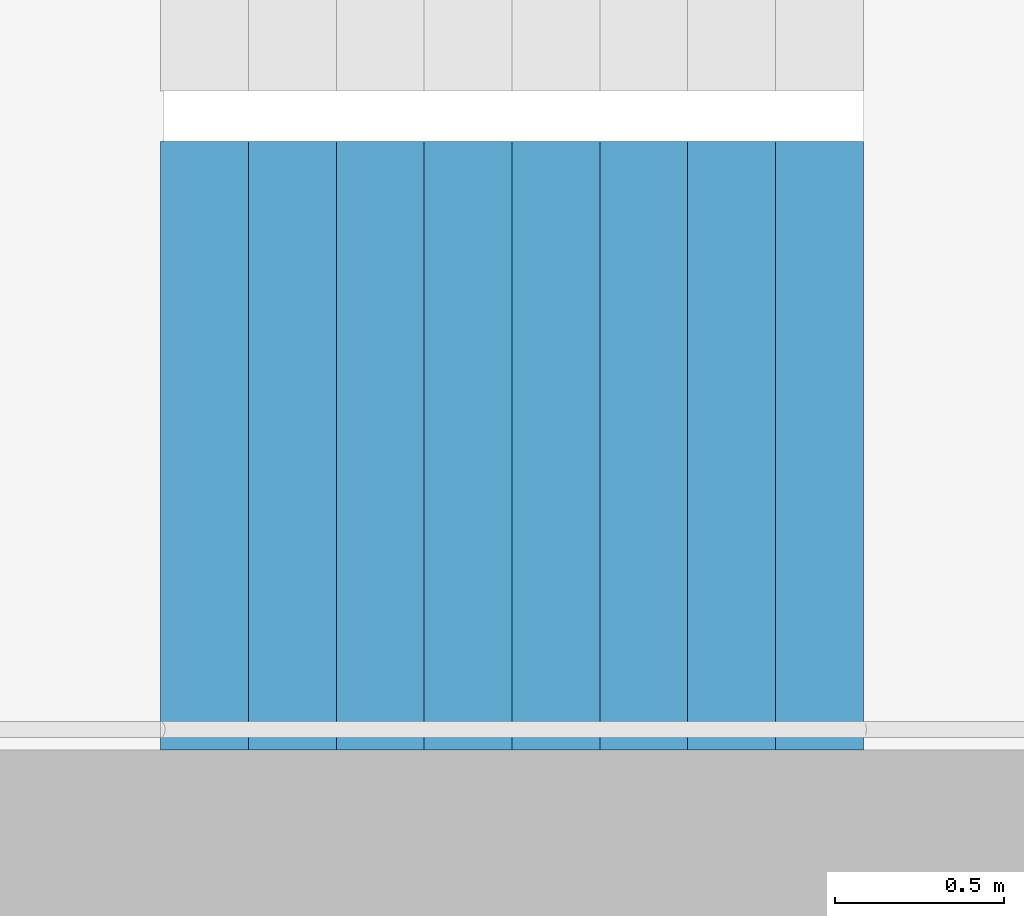
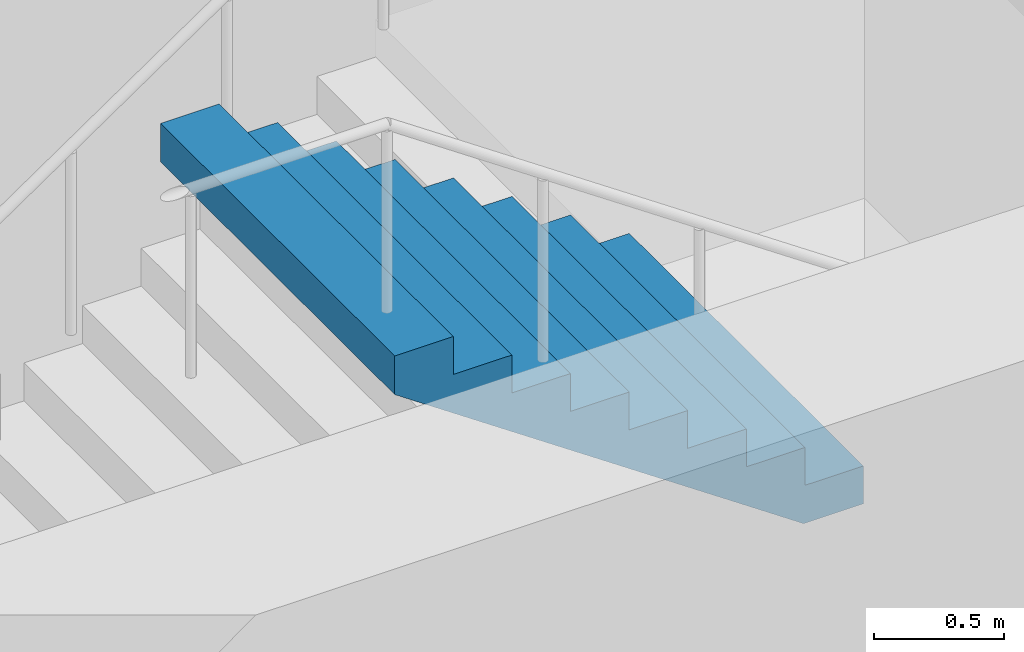
# One storey, part 22 of 26: 1 stair flight, 1 element without a shape of its own.
"""IFC4 building model written with IfcOpenShell, lengths in metres."""

from ifc_helpers import new_model, si_unit, direction, frame, origin, place, context, subcontext, project, spatial, triangles, material, type_object, element, aggregate, save


model = new_model("IFC4")

# Units and contexts
model_context = context("Model", 3, precision=1e-05, world=origin(), true_north=direction((0.0, 1.0)))
body_context = subcontext(model_context, "Body", "Model", "MODEL_VIEW")
ifc_project = project(units=[si_unit("LENGTHUNIT", "METRE"), si_unit("AREAUNIT", "SQUARE_METRE"), si_unit("VOLUMEUNIT", "CUBIC_METRE"), si_unit("PLANEANGLEUNIT", "RADIAN"), si_unit("MASSUNIT", "GRAM", prefix="KILO")], contexts=[model_context])

# Site, building, storey
site_placement = place(None, origin())
site = spatial("IfcSite", under=ifc_project, at=site_placement, CompositionType="ELEMENT")
building_placement = place(site_placement, origin())
building = spatial("IfcBuilding", under=site, at=building_placement, Name="Hakoniwa Tower and Hamabe Station Hall", CompositionType="ELEMENT")
storey_placement = place(building_placement, frame((0.0, 0.0, 143.800048828125)))
storey = spatial("IfcBuildingStorey", under=building, at=storey_placement, Name="L40", CompositionType="ELEMENT", Elevation=143.800048828125)

# Stair, stair flight
ifc_material_1 = material(Name="Concrete C40", Category="concrete")
stair_type = type_object("IfcStairType", Name="ESCAPE STAIR 1800", PredefinedType="HALF_TURN_STAIR", material=ifc_material_1)
stair_placement = place(storey_placement, origin())
stair = element("IfcStair", 1, at=stair_placement, inside=storey, type_object=stair_type, Name="Escape stair ST-4 L40", PredefinedType="HALF_TURN_STAIR")
ifc_material_2 = material(Name="Concrete C40", Category="concrete")
stair_flight_type = type_object("IfcStairFlightType", Name="STAIR FLIGHT 1800", PredefinedType="STRAIGHT", material=ifc_material_2)
stair_flight_placement = place(storey_placement, frame((25.47998046875, -6.60009765625, 1.599853515625), z_axis=(0.0, 0.0, 1.0), x_axis=(-1.0, 0.0, 0.0)))
stair_flight = element("IfcStairFlight", 2, at=stair_flight_placement, type_object=stair_flight_type, Name="ST-4 flight 2", NumberOfRisers=9, NumberOfTreads=8, PredefinedType="STRAIGHT", RiserHeight=0.177777778, TreadLength=0.26, context=body_context, shape_type="Tessellation", body=[
    triangles([(0.0, 0.89990234375, 0.0), (0.260009765625, 0.89990234375, 0.0), (0.265625, 0.89990234375, 0.0), (0.52001953125, 0.89990234375, 0.174072265625), (0.780029296875, 0.89990234375, 0.351806640625), (1.0400390625, 0.89990234375, 0.529541015625), (1.300048828125, 0.89990234375, 0.707275390625), (1.56005859375, 0.89990234375, 0.885009765625), (1.820068359375, 0.89990234375, 1.062744140625), (2.080078125, 0.89990234375, 1.24072265625), (2.080078125, 0.89990234375, 1.422119140625), (1.820068359375, 0.89990234375, 1.422119140625), (1.820068359375, 0.89990234375, 1.244384765625), (1.56005859375, 0.89990234375, 1.244384765625), (1.56005859375, 0.89990234375, 1.066650390625), (1.300048828125, 0.89990234375, 1.066650390625), (1.300048828125, 0.89990234375, 0.888916015625), (1.0400390625, 0.89990234375, 0.888916015625), (1.0400390625, 0.89990234375, 0.711181640625), (0.780029296875, 0.89990234375, 0.711181640625), (0.780029296875, 0.89990234375, 0.533447265625), (0.52001953125, 0.89990234375, 0.533447265625), (0.52001953125, 0.89990234375, 0.35546875), (0.265625, 0.89990234375, 0.35546875), (0.260009765625, 0.89990234375, 0.35546875), (0.260009765625, 0.89990234375, 0.177734375), (0.0, 0.89990234375, 0.177734375), (0.0, 0.06005859375, 0.0), (0.260009765625, 0.06005859375, 0.0), (0.265625, 0.06005859375, 0.0), (0.52001953125, 0.06005859375, 0.174072265625), (0.780029296875, 0.06005859375, 0.351806640625), (1.0400390625, 0.06005859375, 0.529541015625), (1.300048828125, 0.06005859375, 0.707275390625), (1.56005859375, 0.06005859375, 0.885009765625), (1.820068359375, 0.06005859375, 1.062744140625), (2.080078125, 0.06005859375, 1.24072265625), (2.080078125, 0.06005859375, 1.422119140625), (1.820068359375, 0.06005859375, 1.422119140625), (1.820068359375, 0.06005859375, 1.244384765625), (1.56005859375, 0.06005859375, 1.244384765625), (1.56005859375, 0.06005859375, 1.066650390625), (1.300048828125, 0.06005859375, 1.066650390625), (1.300048828125, 0.06005859375, 0.888916015625), (1.0400390625, 0.06005859375, 0.888916015625), (1.0400390625, 0.06005859375, 0.711181640625), (0.780029296875, 0.06005859375, 0.711181640625), (0.780029296875, 0.06005859375, 0.533447265625), (0.52001953125, 0.06005859375, 0.533447265625), (0.52001953125, 0.06005859375, 0.35546875), (0.265625, 0.06005859375, 0.35546875), (0.260009765625, 0.06005859375, 0.35546875), (0.260009765625, 0.06005859375, 0.177734375), (0.0, 0.06005859375, 0.177734375), (0.0, 0.04296875, 0.0), (0.260009765625, 0.04296875, 0.0), (0.265625, 0.04296875, 0.0), (0.52001953125, 0.04296875, 0.174072265625), (0.780029296875, 0.04296875, 0.351806640625), (1.0400390625, 0.04296875, 0.529541015625), (1.300048828125, 0.04296875, 0.707275390625), (1.56005859375, 0.04296875, 0.885009765625), (1.820068359375, 0.04296875, 1.062744140625), (2.080078125, 0.04296875, 1.24072265625), (2.080078125, 0.04296875, 1.422119140625), (1.820068359375, 0.04296875, 1.422119140625), (1.820068359375, 0.04296875, 1.244384765625), (1.56005859375, 0.04296875, 1.244384765625), (1.56005859375, 0.04296875, 1.066650390625), (1.300048828125, 0.04296875, 1.066650390625), (1.300048828125, 0.04296875, 0.888916015625), (1.0400390625, 0.04296875, 0.888916015625), (1.0400390625, 0.04296875, 0.711181640625), (0.780029296875, 0.04296875, 0.711181640625), (0.780029296875, 0.04296875, 0.533447265625), (0.52001953125, 0.04296875, 0.533447265625), (0.52001953125, 0.04296875, 0.35546875), (0.265625, 0.04296875, 0.35546875), (0.260009765625, 0.04296875, 0.35546875), (0.260009765625, 0.04296875, 0.177734375), (0.0, 0.04296875, 0.177734375), (0.0, 0.025634765625, 0.0), (0.260009765625, 0.025634765625, 0.0), (0.265625, 0.025634765625, 0.0), (0.52001953125, 0.025634765625, 0.174072265625), (0.780029296875, 0.025634765625, 0.351806640625), (1.0400390625, 0.025634765625, 0.529541015625), (1.300048828125, 0.025634765625, 0.707275390625), (1.56005859375, 0.025634765625, 0.885009765625), (1.820068359375, 0.025634765625, 1.062744140625), (2.080078125, 0.025634765625, 1.24072265625), (2.080078125, 0.025634765625, 1.422119140625), (1.820068359375, 0.025634765625, 1.422119140625), (1.820068359375, 0.025634765625, 1.244384765625), (1.56005859375, 0.025634765625, 1.244384765625), (1.56005859375, 0.025634765625, 1.066650390625), (1.300048828125, 0.025634765625, 1.066650390625), (1.300048828125, 0.025634765625, 0.888916015625), (1.0400390625, 0.025634765625, 0.888916015625), (1.0400390625, 0.025634765625, 0.711181640625), (0.780029296875, 0.025634765625, 0.711181640625), (0.780029296875, 0.025634765625, 0.533447265625), (0.52001953125, 0.025634765625, 0.533447265625), (0.52001953125, 0.025634765625, 0.35546875), (0.265625, 0.025634765625, 0.35546875), (0.260009765625, 0.025634765625, 0.35546875), (0.260009765625, 0.025634765625, 0.177734375), (0.0, 0.025634765625, 0.177734375), (0.0, 0.008544921875, 0.0), (0.260009765625, 0.008544921875, 0.0), (0.265625, 0.008544921875, 0.0), (0.52001953125, 0.008544921875, 0.174072265625), (0.780029296875, 0.008544921875, 0.351806640625), (1.0400390625, 0.008544921875, 0.529541015625), (1.300048828125, 0.008544921875, 0.707275390625), (1.56005859375, 0.008544921875, 0.885009765625), (1.820068359375, 0.008544921875, 1.062744140625), (2.080078125, 0.008544921875, 1.24072265625), (2.080078125, 0.008544921875, 1.422119140625), (1.820068359375, 0.008544921875, 1.422119140625), (1.820068359375, 0.008544921875, 1.244384765625), (1.56005859375, 0.008544921875, 1.244384765625), (1.56005859375, 0.008544921875, 1.066650390625), (1.300048828125, 0.008544921875, 1.066650390625), (1.300048828125, 0.008544921875, 0.888916015625), (1.0400390625, 0.008544921875, 0.888916015625), (1.0400390625, 0.008544921875, 0.711181640625), (0.780029296875, 0.008544921875, 0.711181640625), (0.780029296875, 0.008544921875, 0.533447265625), (0.52001953125, 0.008544921875, 0.533447265625), (0.52001953125, 0.008544921875, 0.35546875), (0.265625, 0.008544921875, 0.35546875), (0.260009765625, 0.008544921875, 0.35546875), (0.260009765625, 0.008544921875, 0.177734375), (0.0, 0.008544921875, 0.177734375), (0.0, -0.008544921875, 0.0), (0.260009765625, -0.008544921875, 0.0), (0.265625, -0.008544921875, 0.0), (0.52001953125, -0.008544921875, 0.174072265625), (0.780029296875, -0.008544921875, 0.351806640625), (1.0400390625, -0.008544921875, 0.529541015625), (1.300048828125, -0.008544921875, 0.707275390625), (1.56005859375, -0.008544921875, 0.885009765625), (1.820068359375, -0.008544921875, 1.062744140625), (2.080078125, -0.008544921875, 1.24072265625), (2.080078125, -0.008544921875, 1.422119140625), (1.820068359375, -0.008544921875, 1.422119140625), (1.820068359375, -0.008544921875, 1.244384765625), (1.56005859375, -0.008544921875, 1.244384765625), (1.56005859375, -0.008544921875, 1.066650390625), (1.300048828125, -0.008544921875, 1.066650390625), (1.300048828125, -0.008544921875, 0.888916015625), (1.0400390625, -0.008544921875, 0.888916015625), (1.0400390625, -0.008544921875, 0.711181640625), (0.780029296875, -0.008544921875, 0.711181640625), (0.780029296875, -0.008544921875, 0.533447265625), (0.52001953125, -0.008544921875, 0.533447265625), (0.52001953125, -0.008544921875, 0.35546875), (0.265625, -0.008544921875, 0.35546875), (0.260009765625, -0.008544921875, 0.35546875), (0.260009765625, -0.008544921875, 0.177734375), (0.0, -0.008544921875, 0.177734375), (0.0, -0.025634765625, 0.0), (0.260009765625, -0.025634765625, 0.0), (0.265625, -0.025634765625, 0.0), (0.52001953125, -0.025634765625, 0.174072265625), (0.780029296875, -0.025634765625, 0.351806640625), (1.0400390625, -0.025634765625, 0.529541015625), (1.300048828125, -0.025634765625, 0.707275390625), (1.56005859375, -0.025634765625, 0.885009765625), (1.820068359375, -0.025634765625, 1.062744140625), (2.080078125, -0.025634765625, 1.24072265625), (2.080078125, -0.025634765625, 1.422119140625), (1.820068359375, -0.025634765625, 1.422119140625), (1.820068359375, -0.025634765625, 1.244384765625), (1.56005859375, -0.025634765625, 1.244384765625), (1.56005859375, -0.025634765625, 1.066650390625), (1.300048828125, -0.025634765625, 1.066650390625), (1.300048828125, -0.025634765625, 0.888916015625), (1.0400390625, -0.025634765625, 0.888916015625), (1.0400390625, -0.025634765625, 0.711181640625), (0.780029296875, -0.025634765625, 0.711181640625), (0.780029296875, -0.025634765625, 0.533447265625), (0.52001953125, -0.025634765625, 0.533447265625), (0.52001953125, -0.025634765625, 0.35546875), (0.265625, -0.025634765625, 0.35546875), (0.260009765625, -0.025634765625, 0.35546875), (0.260009765625, -0.025634765625, 0.177734375), (0.0, -0.025634765625, 0.177734375), (0.0, -0.04296875, 0.0), (0.260009765625, -0.04296875, 0.0), (0.265625, -0.04296875, 0.0), (0.52001953125, -0.04296875, 0.174072265625), (0.780029296875, -0.04296875, 0.351806640625), (1.0400390625, -0.04296875, 0.529541015625), (1.300048828125, -0.04296875, 0.707275390625), (1.56005859375, -0.04296875, 0.885009765625), (1.820068359375, -0.04296875, 1.062744140625), (2.080078125, -0.04296875, 1.24072265625), (2.080078125, -0.04296875, 1.422119140625), (1.820068359375, -0.04296875, 1.422119140625), (1.820068359375, -0.04296875, 1.244384765625), (1.56005859375, -0.04296875, 1.244384765625), (1.56005859375, -0.04296875, 1.066650390625), (1.300048828125, -0.04296875, 1.066650390625), (1.300048828125, -0.04296875, 0.888916015625), (1.0400390625, -0.04296875, 0.888916015625), (1.0400390625, -0.04296875, 0.711181640625), (0.780029296875, -0.04296875, 0.711181640625), (0.780029296875, -0.04296875, 0.533447265625), (0.52001953125, -0.04296875, 0.533447265625), (0.52001953125, -0.04296875, 0.35546875), (0.265625, -0.04296875, 0.35546875), (0.260009765625, -0.04296875, 0.35546875), (0.260009765625, -0.04296875, 0.177734375), (0.0, -0.04296875, 0.177734375), (0.0, -0.06005859375, 0.0), (0.260009765625, -0.06005859375, 0.0), (0.265625, -0.06005859375, 0.0), (0.52001953125, -0.06005859375, 0.174072265625), (0.780029296875, -0.06005859375, 0.351806640625), (1.0400390625, -0.06005859375, 0.529541015625), (1.300048828125, -0.06005859375, 0.707275390625), (1.56005859375, -0.06005859375, 0.885009765625), (1.820068359375, -0.06005859375, 1.062744140625), (2.080078125, -0.06005859375, 1.24072265625), (2.080078125, -0.06005859375, 1.422119140625), (1.820068359375, -0.06005859375, 1.422119140625), (1.820068359375, -0.06005859375, 1.244384765625), (1.56005859375, -0.06005859375, 1.244384765625), (1.56005859375, -0.06005859375, 1.066650390625), (1.300048828125, -0.06005859375, 1.066650390625), (1.300048828125, -0.06005859375, 0.888916015625), (1.0400390625, -0.06005859375, 0.888916015625), (1.0400390625, -0.06005859375, 0.711181640625), (0.780029296875, -0.06005859375, 0.711181640625), (0.780029296875, -0.06005859375, 0.533447265625), (0.52001953125, -0.06005859375, 0.533447265625), (0.52001953125, -0.06005859375, 0.35546875), (0.265625, -0.06005859375, 0.35546875), (0.260009765625, -0.06005859375, 0.35546875), (0.260009765625, -0.06005859375, 0.177734375), (0.0, -0.06005859375, 0.177734375), (0.0, -0.89990234375, 0.0), (0.260009765625, -0.89990234375, 0.0), (0.265625, -0.89990234375, 0.0), (0.52001953125, -0.89990234375, 0.174072265625), (0.780029296875, -0.89990234375, 0.351806640625), (1.0400390625, -0.89990234375, 0.529541015625), (1.300048828125, -0.89990234375, 0.707275390625), (1.56005859375, -0.89990234375, 0.885009765625), (1.820068359375, -0.89990234375, 1.062744140625), (2.080078125, -0.89990234375, 1.24072265625), (2.080078125, -0.89990234375, 1.422119140625), (1.820068359375, -0.89990234375, 1.422119140625), (1.820068359375, -0.89990234375, 1.244384765625), (1.56005859375, -0.89990234375, 1.244384765625), (1.56005859375, -0.89990234375, 1.066650390625), (1.300048828125, -0.89990234375, 1.066650390625), (1.300048828125, -0.89990234375, 0.888916015625), (1.0400390625, -0.89990234375, 0.888916015625), (1.0400390625, -0.89990234375, 0.711181640625), (0.780029296875, -0.89990234375, 0.711181640625), (0.780029296875, -0.89990234375, 0.533447265625), (0.52001953125, -0.89990234375, 0.533447265625), (0.52001953125, -0.89990234375, 0.35546875), (0.265625, -0.89990234375, 0.35546875), (0.260009765625, -0.89990234375, 0.35546875), (0.260009765625, -0.89990234375, 0.177734375), (0.0, -0.89990234375, 0.177734375)], [[2, 27, 26], [245, 269, 270], [2, 1, 27], [245, 270, 244], [3, 25, 24], [246, 267, 268], [3, 26, 25], [246, 268, 269], [3, 2, 26], [246, 269, 245], [4, 24, 23], [247, 266, 267], [4, 3, 24], [247, 267, 246], [5, 22, 21], [248, 264, 265], [5, 23, 22], [248, 265, 266], [5, 4, 23], [248, 266, 247], [6, 20, 19], [249, 262, 263], [6, 21, 20], [249, 263, 264], [6, 5, 21], [249, 264, 248], [7, 18, 17], [250, 260, 261], [7, 19, 18], [250, 261, 262], [7, 6, 19], [250, 262, 249], [8, 16, 15], [251, 258, 259], [8, 17, 16], [251, 259, 260], [8, 7, 17], [251, 260, 250], [9, 14, 13], [252, 256, 257], [9, 15, 14], [252, 257, 258], [9, 8, 15], [252, 258, 251], [10, 12, 11], [253, 254, 255], [10, 13, 12], [253, 255, 256], [10, 9, 13], [253, 256, 252], [1, 2, 29], [1, 29, 28], [28, 29, 56], [28, 56, 55], [55, 56, 83], [55, 83, 82], [82, 83, 110], [82, 110, 109], [109, 110, 137], [109, 137, 136], [136, 137, 164], [136, 164, 163], [163, 164, 191], [163, 191, 190], [190, 191, 218], [190, 218, 217], [217, 218, 245], [217, 245, 244], [2, 3, 30], [2, 30, 29], [29, 30, 57], [29, 57, 56], [56, 57, 84], [56, 84, 83], [83, 84, 111], [83, 111, 110], [110, 111, 138], [110, 138, 137], [137, 138, 165], [137, 165, 164], [164, 165, 192], [164, 192, 191], [191, 192, 219], [191, 219, 218], [218, 219, 246], [218, 246, 245], [3, 4, 31], [3, 31, 30], [30, 31, 58], [30, 58, 57], [57, 58, 85], [57, 85, 84], [84, 85, 112], [84, 112, 111], [111, 112, 139], [111, 139, 138], [138, 139, 166], [138, 166, 165], [165, 166, 193], [165, 193, 192], [192, 193, 220], [192, 220, 219], [219, 220, 247], [219, 247, 246], [4, 5, 32], [4, 32, 31], [31, 32, 59], [31, 59, 58], [58, 59, 86], [58, 86, 85], [85, 86, 113], [85, 113, 112], [112, 113, 140], [112, 140, 139], [139, 140, 167], [139, 167, 166], [166, 167, 194], [166, 194, 193], [193, 194, 221], [193, 221, 220], [220, 221, 248], [220, 248, 247], [5, 6, 33], [5, 33, 32], [32, 33, 60], [32, 60, 59], [59, 60, 87], [59, 87, 86], [86, 87, 114], [86, 114, 113], [113, 114, 141], [113, 141, 140], [140, 141, 168], [140, 168, 167], [167, 168, 195], [167, 195, 194], [194, 195, 222], [194, 222, 221], [221, 222, 249], [221, 249, 248], [6, 7, 34], [6, 34, 33], [33, 34, 61], [33, 61, 60], [60, 61, 88], [60, 88, 87], [87, 88, 115], [87, 115, 114], [114, 115, 142], [114, 142, 141], [141, 142, 169], [141, 169, 168], [168, 169, 196], [168, 196, 195], [195, 196, 223], [195, 223, 222], [222, 223, 250], [222, 250, 249], [7, 8, 35], [7, 35, 34], [34, 35, 62], [34, 62, 61], [61, 62, 89], [61, 89, 88], [88, 89, 116], [88, 116, 115], [115, 116, 143], [115, 143, 142], [142, 143, 170], [142, 170, 169], [169, 170, 197], [169, 197, 196], [196, 197, 224], [196, 224, 223], [223, 224, 251], [223, 251, 250], [8, 9, 36], [8, 36, 35], [35, 36, 63], [35, 63, 62], [62, 63, 90], [62, 90, 89], [89, 90, 117], [89, 117, 116], [116, 117, 144], [116, 144, 143], [143, 144, 171], [143, 171, 170], [170, 171, 198], [170, 198, 197], [197, 198, 225], [197, 225, 224], [224, 225, 252], [224, 252, 251], [9, 10, 37], [9, 37, 36], [36, 37, 64], [36, 64, 63], [63, 64, 91], [63, 91, 90], [90, 91, 118], [90, 118, 117], [117, 118, 145], [117, 145, 144], [144, 145, 172], [144, 172, 171], [171, 172, 199], [171, 199, 198], [198, 199, 226], [198, 226, 225], [225, 226, 253], [225, 253, 252], [10, 11, 38], [10, 38, 37], [37, 38, 65], [37, 65, 64], [64, 65, 92], [64, 92, 91], [91, 92, 119], [91, 119, 118], [118, 119, 146], [118, 146, 145], [145, 146, 173], [145, 173, 172], [172, 173, 200], [172, 200, 199], [199, 200, 227], [199, 227, 226], [226, 227, 254], [226, 254, 253], [11, 12, 39], [11, 39, 38], [38, 39, 66], [38, 66, 65], [65, 66, 93], [65, 93, 92], [92, 93, 120], [92, 120, 119], [119, 120, 147], [119, 147, 146], [146, 147, 174], [146, 174, 173], [173, 174, 201], [173, 201, 200], [200, 201, 228], [200, 228, 227], [227, 228, 255], [227, 255, 254], [12, 13, 40], [12, 40, 39], [39, 40, 67], [39, 67, 66], [66, 67, 94], [66, 94, 93], [93, 94, 121], [93, 121, 120], [120, 121, 148], [120, 148, 147], [147, 148, 175], [147, 175, 174], [174, 175, 202], [174, 202, 201], [201, 202, 229], [201, 229, 228], [228, 229, 256], [228, 256, 255], [13, 14, 41], [13, 41, 40], [40, 41, 68], [40, 68, 67], [67, 68, 95], [67, 95, 94], [94, 95, 122], [94, 122, 121], [121, 122, 149], [121, 149, 148], [148, 149, 176], [148, 176, 175], [175, 176, 203], [175, 203, 202], [202, 203, 230], [202, 230, 229], [229, 230, 257], [229, 257, 256], [14, 15, 42], [14, 42, 41], [41, 42, 69], [41, 69, 68], [68, 69, 96], [68, 96, 95], [95, 96, 123], [95, 123, 122], [122, 123, 150], [122, 150, 149], [149, 150, 177], [149, 177, 176], [176, 177, 204], [176, 204, 203], [203, 204, 231], [203, 231, 230], [230, 231, 258], [230, 258, 257], [15, 16, 43], [15, 43, 42], [42, 43, 70], [42, 70, 69], [69, 70, 97], [69, 97, 96], [96, 97, 124], [96, 124, 123], [123, 124, 151], [123, 151, 150], [150, 151, 178], [150, 178, 177], [177, 178, 205], [177, 205, 204], [204, 205, 232], [204, 232, 231], [231, 232, 259], [231, 259, 258], [16, 17, 44], [16, 44, 43], [43, 44, 71], [43, 71, 70], [70, 71, 98], [70, 98, 97], [97, 98, 125], [97, 125, 124], [124, 125, 152], [124, 152, 151], [151, 152, 179], [151, 179, 178], [178, 179, 206], [178, 206, 205], [205, 206, 233], [205, 233, 232], [232, 233, 260], [232, 260, 259], [17, 18, 45], [17, 45, 44], [44, 45, 72], [44, 72, 71], [71, 72, 99], [71, 99, 98], [98, 99, 126], [98, 126, 125], [125, 126, 153], [125, 153, 152], [152, 153, 180], [152, 180, 179], [179, 180, 207], [179, 207, 206], [206, 207, 234], [206, 234, 233], [233, 234, 261], [233, 261, 260], [18, 19, 46], [18, 46, 45], [45, 46, 73], [45, 73, 72], [72, 73, 100], [72, 100, 99], [99, 100, 127], [99, 127, 126], [126, 127, 154], [126, 154, 153], [153, 154, 181], [153, 181, 180], [180, 181, 208], [180, 208, 207], [207, 208, 235], [207, 235, 234], [234, 235, 262], [234, 262, 261], [19, 20, 47], [19, 47, 46], [46, 47, 74], [46, 74, 73], [73, 74, 101], [73, 101, 100], [100, 101, 128], [100, 128, 127], [127, 128, 155], [127, 155, 154], [154, 155, 182], [154, 182, 181], [181, 182, 209], [181, 209, 208], [208, 209, 236], [208, 236, 235], [235, 236, 263], [235, 263, 262], [20, 21, 48], [20, 48, 47], [47, 48, 75], [47, 75, 74], [74, 75, 102], [74, 102, 101], [101, 102, 129], [101, 129, 128], [128, 129, 156], [128, 156, 155], [155, 156, 183], [155, 183, 182], [182, 183, 210], [182, 210, 209], [209, 210, 237], [209, 237, 236], [236, 237, 264], [236, 264, 263], [21, 22, 49], [21, 49, 48], [48, 49, 76], [48, 76, 75], [75, 76, 103], [75, 103, 102], [102, 103, 130], [102, 130, 129], [129, 130, 157], [129, 157, 156], [156, 157, 184], [156, 184, 183], [183, 184, 211], [183, 211, 210], [210, 211, 238], [210, 238, 237], [237, 238, 265], [237, 265, 264], [22, 23, 50], [22, 50, 49], [49, 50, 77], [49, 77, 76], [76, 77, 104], [76, 104, 103], [103, 104, 131], [103, 131, 130], [130, 131, 158], [130, 158, 157], [157, 158, 185], [157, 185, 184], [184, 185, 212], [184, 212, 211], [211, 212, 239], [211, 239, 238], [238, 239, 266], [238, 266, 265], [23, 24, 51], [23, 51, 50], [50, 51, 78], [50, 78, 77], [77, 78, 105], [77, 105, 104], [104, 105, 132], [104, 132, 131], [131, 132, 159], [131, 159, 158], [158, 159, 186], [158, 186, 185], [185, 186, 213], [185, 213, 212], [212, 213, 240], [212, 240, 239], [239, 240, 267], [239, 267, 266], [24, 25, 52], [24, 52, 51], [51, 52, 79], [51, 79, 78], [78, 79, 106], [78, 106, 105], [105, 106, 133], [105, 133, 132], [132, 133, 160], [132, 160, 159], [159, 160, 187], [159, 187, 186], [186, 187, 214], [186, 214, 213], [213, 214, 241], [213, 241, 240], [240, 241, 268], [240, 268, 267], [25, 26, 53], [25, 53, 52], [52, 53, 80], [52, 80, 79], [79, 80, 107], [79, 107, 106], [106, 107, 134], [106, 134, 133], [133, 134, 161], [133, 161, 160], [160, 161, 188], [160, 188, 187], [187, 188, 215], [187, 215, 214], [214, 215, 242], [214, 242, 241], [241, 242, 269], [241, 269, 268], [26, 27, 54], [26, 54, 53], [53, 54, 81], [53, 81, 80], [80, 81, 108], [80, 108, 107], [107, 108, 135], [107, 135, 134], [134, 135, 162], [134, 162, 161], [161, 162, 189], [161, 189, 188], [188, 189, 216], [188, 216, 215], [215, 216, 243], [215, 243, 242], [242, 243, 270], [242, 270, 269], [27, 1, 28], [27, 28, 54], [54, 28, 55], [54, 55, 81], [81, 55, 82], [81, 82, 108], [108, 82, 109], [108, 109, 135], [135, 109, 136], [135, 136, 162], [162, 136, 163], [162, 163, 189], [189, 163, 190], [189, 190, 216], [216, 190, 217], [216, 217, 243], [243, 217, 244], [243, 244, 270]], closed=True),
])
aggregate(stair, [stair_flight])

save(model, "model.ifc")
